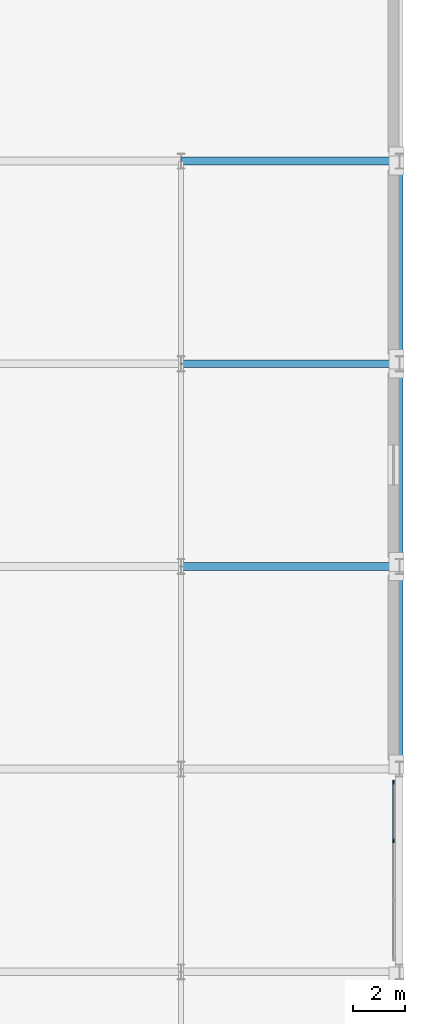
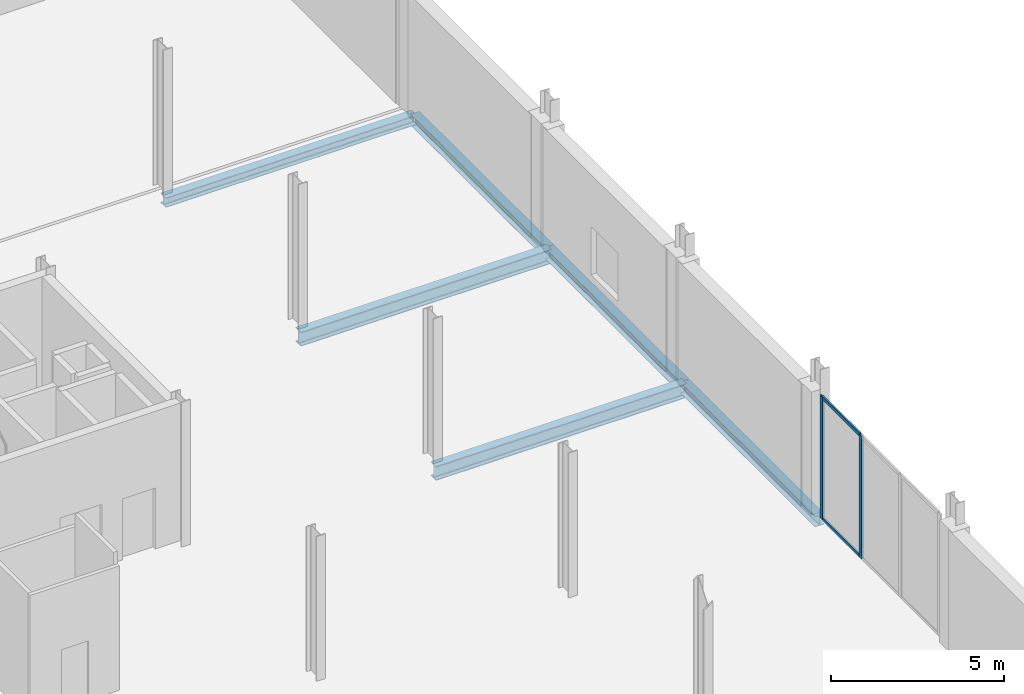
# One storey, part 64 of 105: 6 beams, 4 members, 1 element without a shape of its own.
"""IFC4 building model written with IfcOpenShell, lengths in metres."""

from ifc_helpers import new_model, si_unit, direction, frame, origin, origin_2d, place, context, subcontext, project, spatial, rectangle, i_section, extrude, material, material_profile, profile_set, type_object, element, aggregate, save


model = new_model("IFC4")

# Units and contexts
model_context = context("Model", 3, precision=1e-05, world=origin(), true_north=direction((0.0, 1.0)))
body_context = subcontext(model_context, "Body", "Model", "MODEL_VIEW")
ifc_project = project(units=[si_unit("LENGTHUNIT", "METRE"), si_unit("AREAUNIT", "SQUARE_METRE"), si_unit("VOLUMEUNIT", "CUBIC_METRE"), si_unit("PLANEANGLEUNIT", "RADIAN"), si_unit("MASSUNIT", "GRAM", prefix="KILO")], contexts=[model_context])

# Site, building, storey
site_placement = place(None, origin())
site = spatial("IfcSite", under=ifc_project, at=site_placement, CompositionType="ELEMENT")
building_placement = place(site_placement, origin())
building = spatial("IfcBuilding", under=site, at=building_placement, Name="Nabrawat Pavilion Hospital", CompositionType="ELEMENT")
storey_placement = place(building_placement, frame((0.0, 0.0, 5.10009765625)))
storey = spatial("IfcBuildingStorey", under=building, at=storey_placement, Name="L01", CompositionType="ELEMENT", Elevation=5.10009765625)

# Curtain wall, members
ifc_material_1 = material(Name="Anodised Aluminium", Category="aluminium")
curtain_wall_type = type_object("IfcCurtainWallType", Name="Inpatient Dayroom Bay Curtain Wall", PredefinedType="USERDEFINED", material=ifc_material_1)
curtain_wall_placement = place(storey_placement, origin())
curtain_wall = element("IfcCurtainWall", 1, at=curtain_wall_placement, inside=storey, type_object=curtain_wall_type, Name="L01 Inpatient Dayroom Bay Curtain Wall 094", ObjectType="CURTAIN WALL", PredefinedType="USERDEFINED")
ifc_material_profile_1 = material_profile(ifc_material_1, rectangle(XDim=0.06005859375, YDim=0.159912109375, at=origin_2d()), Name="CWM 60x160")
ifc_profile_set_1 = profile_set([ifc_material_profile_1], Name="Anodised Aluminium")
member_type_1 = type_object("IfcMemberType", Name="Inpatient Dayroom Bay Curtain Wall Mullion CWM 60x160", PredefinedType="MULLION", material=ifc_profile_set_1)
member_1_placement = place(storey_placement, frame((192.97998046875, 59.643310546875, 0.0), z_axis=(0.0, 0.0, 1.0), x_axis=(-1.0, 0.0, 0.0)))
member_1 = element("IfcMember", 2, at=member_1_placement, type_object=member_type_1, Name="CW-WRD-01 mullion 3", PredefinedType="MULLION", context=body_context, shape_type="SweptSolid", body=[
    extrude(rectangle(XDim=0.06005859375, YDim=0.159912109375, at=origin_2d()), origin(), (0.0, 0.0, 1.0), 4.329833984375),
])
member_2_placement = place(storey_placement, frame((192.97998046875, 61.89990234375, 0.0), z_axis=(0.0, 0.0, 1.0), x_axis=(-1.0, 0.0, 0.0)))
member_2 = element("IfcMember", 3, at=member_2_placement, type_object=member_type_1, Name="CW-WRD-01 mullion 4", PredefinedType="MULLION", context=body_context, shape_type="SweptSolid", body=[
    extrude(rectangle(XDim=0.06005859375, YDim=0.159912109375, at=origin_2d()), origin(), (0.0, 0.0, 1.0), 4.329833984375),
])
ifc_material_profile_2 = material_profile(ifc_material_1, rectangle(XDim=0.06005859375, YDim=0.1201171875, at=origin_2d()), Name="CWT 60x120")
ifc_profile_set_2 = profile_set([ifc_material_profile_2], Name="Anodised Aluminium")
member_type_2 = type_object("IfcMemberType", Name="Inpatient Dayroom Bay Curtain Wall Transom CWT 60x120", PredefinedType="USERDEFINED", material=ifc_profile_set_2)
member_3_placement = place(storey_placement, frame((192.97998046875, 59.67333984375, 0.02978515625), z_axis=(0.0, 1.0, 0.0), x_axis=(-1.0, 0.0, 0.0)))
member_3 = element("IfcMember", 4, at=member_3_placement, type_object=member_type_2, Name="CW-WRD-01 transom 3.1", ObjectType="TRANSOM", PredefinedType="USERDEFINED", context=body_context, shape_type="SweptSolid", body=[
    extrude(rectangle(XDim=0.06005859375, YDim=0.1201171875, at=origin_2d()), origin(), (0.0, 0.0, 1.0), 2.19677734375),
])
member_4_placement = place(storey_placement, frame((192.97998046875, 59.67333984375, 4.2998046875), z_axis=(0.0, 1.0, 0.0), x_axis=(-1.0, 0.0, 0.0)))
member_4 = element("IfcMember", 5, at=member_4_placement, type_object=member_type_2, Name="CW-WRD-01 transom 3.2", ObjectType="TRANSOM", PredefinedType="USERDEFINED", context=body_context, shape_type="SweptSolid", body=[
    extrude(rectangle(XDim=0.06005859375, YDim=0.1201171875, at=origin_2d()), origin(), (0.0, 0.0, 1.0), 2.19677734375),
])
aggregate(curtain_wall, [member_1, member_2, member_3, member_4])

# Beams
ifc_material_2 = material(Name="Steel S355", Category="steel")
ifc_material_profile_3 = material_profile(ifc_material_2, i_section(OverallWidth=0.300048828125, OverallDepth=0.389892578125, WebThickness=0.010986328125, FlangeThickness=0.01904296875, FilletRadius=0.027099609375, at=origin_2d()), Name="HEA 400")
ifc_profile_set_3 = profile_set([ifc_material_profile_3], Name="Steel S355")
beam_type_1 = type_object("IfcBeamType", Name="Perimeter Moment Spandrel Beam HEA 400", PredefinedType="SPANDREL", material=ifc_profile_set_3)
for number, where, z_axis, x_axis, name in (
    (6, (193.199951171875, 62.419921875, -0.445068359375), (0.0, 1.0, 0.0), (-1.0, 0.0, 0.0), "L01 Primary Y Beam 919"),
    (7, (193.199951171875, 70.219970703125, -0.445068359375), (0.0, 1.0, 0.0), (-1.0, 0.0, 0.0), "L01 Primary Y Beam 920"),
    (8, (193.199951171875, 78.02001953125, -0.445068359375), (0.0, 1.0, 0.0), (-1.0, 0.0, 0.0), "L01 Primary Y Beam 921"),
):
    element("IfcBeam", number, at=place(storey_placement, frame(where, z_axis=z_axis, x_axis=x_axis)), inside=storey, type_object=beam_type_1, Name=name, PredefinedType="SPANDREL", context=body_context, shape_type="SweptSolid", body=[
        extrude(i_section(OverallWidth=0.300048828125, OverallDepth=0.389892578125, WebThickness=0.010986328125, FlangeThickness=0.01904296875, FilletRadius=0.027099609375, at=origin_2d()), origin(), (0.0, 0.0, 1.0), 7.760009765625),
    ])
ifc_material_profile_4 = material_profile(ifc_material_2, i_section(OverallWidth=0.300048828125, OverallDepth=0.5, WebThickness=0.014404296875, FlangeThickness=0.028076171875, FilletRadius=0.027099609375, at=origin_2d()), Name="HEB 500")
ifc_profile_set_4 = profile_set([ifc_material_profile_4], Name="Steel S355")
beam_type_2 = type_object("IfcBeamType", Name="Primary Floor Girder HEB 500", PredefinedType="USERDEFINED", material=ifc_profile_set_4)
for number, where, z_axis, x_axis, name in (
    (9, (184.820068359375, 70.199951171875, -0.5), (1.0, 0.0, 0.0), (0.0, 1.0, 0.0), "L01 Primary X Girder 586"),
    (10, (184.820068359375, 78.0, -0.5), (1.0, 0.0, 0.0), (0.0, 1.0, 0.0), "L01 Primary X Girder 598"),
):
    element("IfcBeam", number, at=place(storey_placement, frame(where, z_axis=z_axis, x_axis=x_axis)), inside=storey, type_object=beam_type_2, Name=name, ObjectType="GIRDER", PredefinedType="USERDEFINED", context=body_context, shape_type="SweptSolid", body=[
        extrude(i_section(OverallWidth=0.300048828125, OverallDepth=0.5, WebThickness=0.014404296875, FlangeThickness=0.028076171875, FilletRadius=0.027099609375, at=origin_2d()), origin(), (0.0, 0.0, 1.0), 8.35986328125),
    ])
ifc_material_profile_5 = material_profile(ifc_material_2, i_section(OverallWidth=0.300048828125, OverallDepth=0.340087890625, WebThickness=0.011962890625, FlangeThickness=0.021484375, FilletRadius=0.027099609375, at=origin_2d()), Name="HEB 340")
ifc_profile_set_5 = profile_set([ifc_material_profile_5], Name="Steel S355")
beam_type_3 = type_object("IfcBeamType", Name="Ward Perimeter Spandrel Beam HEB 340", PredefinedType="SPANDREL", material=ifc_profile_set_5)
beam_placement = place(storey_placement, frame((184.820068359375, 85.800048828125, -0.420166015625), z_axis=(1.0, 0.0, 0.0), x_axis=(0.0, 1.0, 0.0)))
element("IfcBeam", 11, at=beam_placement, inside=storey, type_object=beam_type_3, Name="L01 Primary X Girder 621", PredefinedType="SPANDREL", context=body_context, shape_type="SweptSolid", body=[
    extrude(i_section(OverallWidth=0.300048828125, OverallDepth=0.340087890625, WebThickness=0.011962890625, FlangeThickness=0.021484375, FilletRadius=0.027099609375, at=origin_2d()), origin(), (0.0, 0.0, 1.0), 8.35986328125),
])

save(model, "model.ifc")
